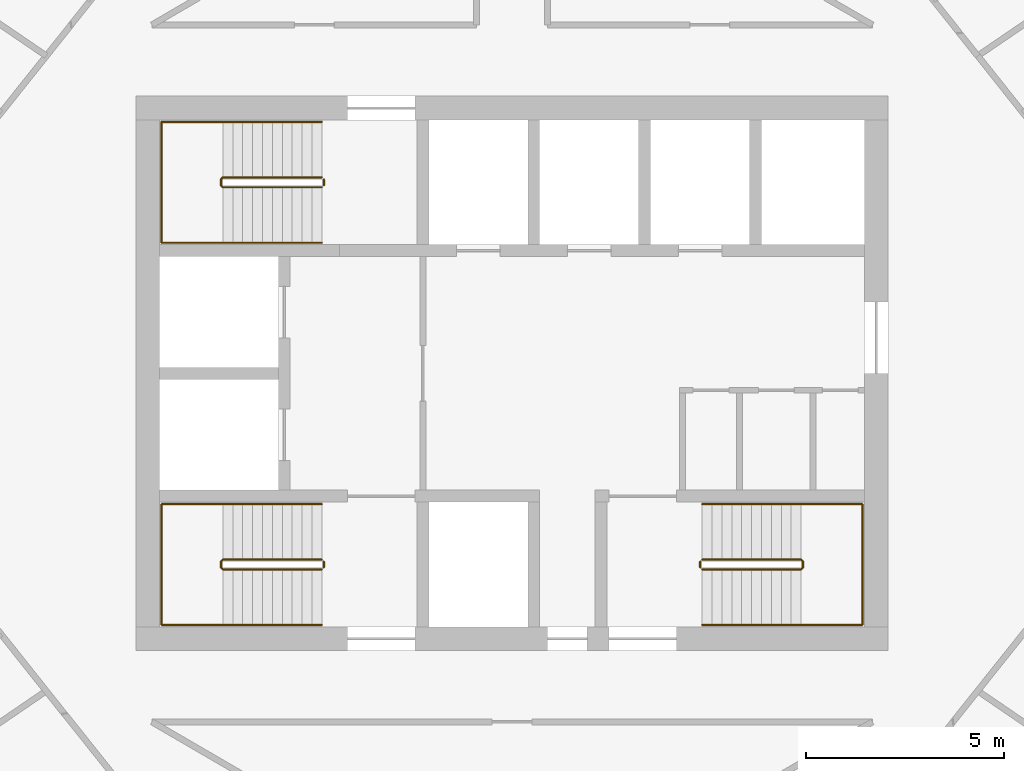
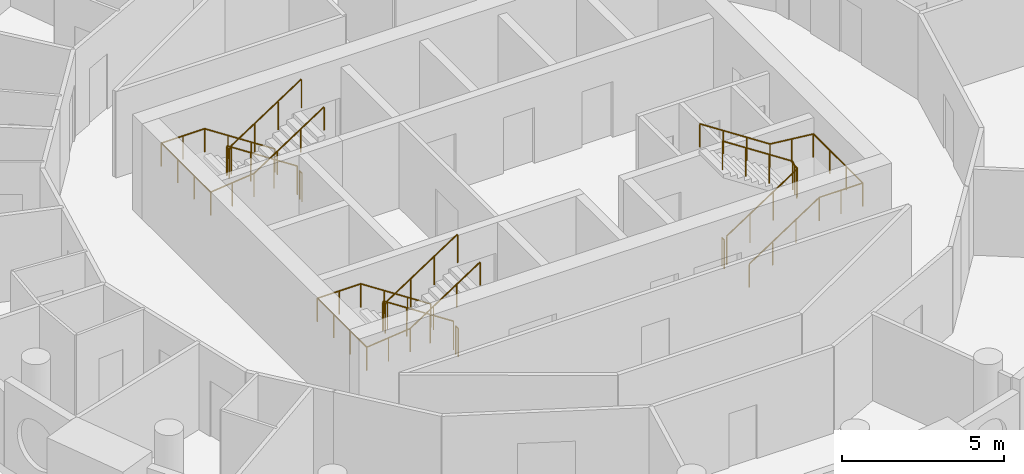
# One storey, part 12 of 12: 9 railings.
"""IFC4 building model written with IfcOpenShell, lengths in metres."""

from ifc_helpers import new_model, si_unit, direction, frame, origin, origin_2d, place, context, subcontext, project, spatial, circle, extrude, material, type_object, element, save


model = new_model("IFC4")

# Units and contexts
model_context = context("Model", 3, precision=1e-05, world=origin(), true_north=direction((0.0, 1.0)))
body_context = subcontext(model_context, "Body", "Model", "MODEL_VIEW")
ifc_project = project(units=[si_unit("LENGTHUNIT", "METRE"), si_unit("AREAUNIT", "SQUARE_METRE"), si_unit("VOLUMEUNIT", "CUBIC_METRE"), si_unit("PLANEANGLEUNIT", "RADIAN"), si_unit("MASSUNIT", "GRAM", prefix="KILO")], contexts=[model_context])

# Site, building, storey
site_placement = place(None, origin())
site = spatial("IfcSite", under=ifc_project, at=site_placement, CompositionType="ELEMENT")
building_placement = place(site_placement, origin())
building = spatial("IfcBuilding", under=site, at=building_placement, Name="Tracery Tower", CompositionType="ELEMENT")
storey_placement = place(building_placement, frame((0.0, 0.0, 305.39990234375)))
storey = spatial("IfcBuildingStorey", under=building, at=storey_placement, Name="L79", CompositionType="ELEMENT", Elevation=305.39990234375)

# Railings
ifc_material_1 = material(Name="Stainless steel and laminated glass", Category="steel")
railing_type_1 = type_object("IfcRailingType", Name="Stair guard 1100", PredefinedType="GUARDRAIL", material=ifc_material_1)
railing_1_placement = place(storey_placement, frame((-4.800048828125, -4.699951171875, 0.163818359375)))
element("IfcRailing", 1, at=railing_1_placement, inside=storey, type_object=railing_type_1, Name="L79 stair ST1 guard 1", PredefinedType="GUARDRAIL", context=body_context, shape_type="SweptSolid", body=[
    extrude(circle(Radius=0.02392578125, at=origin_2d()), frame((0.0, 0.0, 1.076171875), z_axis=(-0.836721939367, 0.0, 0.547627972425), x_axis=(0.0, -1.0, 0.0)), (0.0, 0.0, 1.0), 2.98779296875),
    extrude(circle(Radius=0.02392578125, at=origin_2d()), frame((-2.5, 0.0, 2.71240234375), z_axis=(-0.707106781187, -0.707106781187, 0.0), x_axis=(0.707106781187, -0.707106781187, 0.0)), (0.0, 0.0, 1.0), 0.07080078125),
    extrude(circle(Radius=0.02392578125, at=origin_2d()), frame((-2.550048828125, -0.050048828125, 2.71240234375), z_axis=(0.0, -1.0, 0.0), x_axis=(1.0, 0.0, 0.0)), (0.0, 0.0, 1.0), 0.14990234375),
    extrude(circle(Radius=0.02392578125, at=origin_2d()), frame((-2.550048828125, -0.199951171875, 2.71240234375), z_axis=(0.280808744504, -0.280808744504, 0.917765164963), x_axis=(0.707106781187, 0.707106781187, 0.0)), (0.0, 0.0, 1.0), 0.17822265625),
    extrude(circle(Radius=0.02392578125, at=origin_2d()), frame((-2.5, -0.25, 2.8759765625), z_axis=(0.83668449804, 0.0, 0.54768517484), x_axis=(0.0, 1.0, 0.0)), (0.0, 0.0, 1.0), 2.988037109375),
    extrude(circle(Radius=0.02099609375, at=origin_2d()), origin(), (0.0, 0.0, 1.0), 1.052001953125),
    extrude(circle(Radius=0.02099609375, at=origin_2d()), frame((-0.833251953125, 0.0, 0.54541015625)), (0.0, 0.0, 1.0), 1.052001953125),
    extrude(circle(Radius=0.02099609375, at=origin_2d()), frame((-1.666748046875, 0.0, 1.0908203125)), (0.0, 0.0, 1.0), 1.052001953125),
    extrude(circle(Radius=0.02099609375, at=origin_2d()), frame((-2.5, 0.0, 1.63623046875)), (0.0, 0.0, 1.0), 1.052001953125),
    extrude(circle(Radius=0.02099609375, at=origin_2d()), frame((-2.550048828125, -0.050048828125, 1.63623046875)), (0.0, 0.0, 1.0), 1.052001953125),
    extrude(circle(Radius=0.02099609375, at=origin_2d()), frame((-2.550048828125, -0.199951171875, 1.63623046875)), (0.0, 0.0, 1.0), 1.052001953125),
    extrude(circle(Radius=0.02099609375, at=origin_2d()), frame((-2.5, -0.25, 1.7998046875)), (0.0, 0.0, 1.0), 1.052001953125),
    extrude(circle(Radius=0.02099609375, at=origin_2d()), frame((-1.666748046875, -0.25, 2.34521484375)), (0.0, 0.0, 1.0), 1.052001953125),
    extrude(circle(Radius=0.02099609375, at=origin_2d()), frame((-0.833251953125, -0.25, 2.890869140625)), (0.0, 0.0, 1.0), 1.052001953125),
    extrude(circle(Radius=0.02099609375, at=origin_2d()), frame((0.0, -0.25, 3.436279296875)), (0.0, 0.0, 1.0), 1.052001953125),
])
railing_2_placement = place(storey_placement, frame((-4.75, -4.75, 0.0)))
element("IfcRailing", 2, at=railing_2_placement, inside=storey, type_object=railing_type_1, Name="L79 stair ST1 guard 2", PredefinedType="GUARDRAIL", context=body_context, shape_type="SweptSolid", body=[
    extrude(circle(Radius=0.02392578125, at=origin_2d()), frame((0.0, 0.0, 1.076171875), z_axis=(0.0, -1.0, 0.0), x_axis=(1.0, 0.0, 0.0)), (0.0, 0.0, 1.0), 0.14990234375),
    extrude(circle(Radius=0.02099609375, at=origin_2d()), origin(), (0.0, 0.0, 1.0), 1.052001953125),
    extrude(circle(Radius=0.02099609375, at=origin_2d()), frame((0.0, -0.14990234375, 0.0)), (0.0, 0.0, 1.0), 1.052001953125),
])
railing_3_placement = place(storey_placement, frame((-4.800048828125, 4.949951171875, 0.163818359375)))
element("IfcRailing", 3, at=railing_3_placement, inside=storey, type_object=railing_type_1, Name="L79 stair ST3 guard 1", PredefinedType="GUARDRAIL", context=body_context, shape_type="SweptSolid", body=[
    extrude(circle(Radius=0.02392578125, at=origin_2d()), frame((0.0, 0.0, 1.076171875), z_axis=(-0.836721939367, 0.0, 0.547627972425), x_axis=(0.0, -1.0, 0.0)), (0.0, 0.0, 1.0), 2.98779296875),
    extrude(circle(Radius=0.02392578125, at=origin_2d()), frame((-2.5, 0.0, 2.71240234375), z_axis=(-0.707106781187, -0.707106781187, 0.0), x_axis=(0.707106781187, -0.707106781187, 0.0)), (0.0, 0.0, 1.0), 0.07080078125),
    extrude(circle(Radius=0.02392578125, at=origin_2d()), frame((-2.550048828125, -0.050048828125, 2.71240234375), z_axis=(0.0, -1.0, 0.0), x_axis=(1.0, 0.0, 0.0)), (0.0, 0.0, 1.0), 0.14990234375),
    extrude(circle(Radius=0.02392578125, at=origin_2d()), frame((-2.550048828125, -0.199951171875, 2.71240234375), z_axis=(0.280808744504, -0.280808744504, 0.917765164963), x_axis=(0.707106781187, 0.707106781187, 0.0)), (0.0, 0.0, 1.0), 0.17822265625),
    extrude(circle(Radius=0.02392578125, at=origin_2d()), frame((-2.5, -0.25, 2.8759765625), z_axis=(0.83668449804, 0.0, 0.54768517484), x_axis=(0.0, 1.0, 0.0)), (0.0, 0.0, 1.0), 2.988037109375),
    extrude(circle(Radius=0.02099609375, at=origin_2d()), origin(), (0.0, 0.0, 1.0), 1.052001953125),
    extrude(circle(Radius=0.02099609375, at=origin_2d()), frame((-0.833251953125, 0.0, 0.54541015625)), (0.0, 0.0, 1.0), 1.052001953125),
    extrude(circle(Radius=0.02099609375, at=origin_2d()), frame((-1.666748046875, 0.0, 1.0908203125)), (0.0, 0.0, 1.0), 1.052001953125),
    extrude(circle(Radius=0.02099609375, at=origin_2d()), frame((-2.5, 0.0, 1.63623046875)), (0.0, 0.0, 1.0), 1.052001953125),
    extrude(circle(Radius=0.02099609375, at=origin_2d()), frame((-2.550048828125, -0.050048828125, 1.63623046875)), (0.0, 0.0, 1.0), 1.052001953125),
    extrude(circle(Radius=0.02099609375, at=origin_2d()), frame((-2.550048828125, -0.199951171875, 1.63623046875)), (0.0, 0.0, 1.0), 1.052001953125),
    extrude(circle(Radius=0.02099609375, at=origin_2d()), frame((-2.5, -0.25, 1.7998046875)), (0.0, 0.0, 1.0), 1.052001953125),
    extrude(circle(Radius=0.02099609375, at=origin_2d()), frame((-1.666748046875, -0.25, 2.34521484375)), (0.0, 0.0, 1.0), 1.052001953125),
    extrude(circle(Radius=0.02099609375, at=origin_2d()), frame((-0.833251953125, -0.25, 2.890869140625)), (0.0, 0.0, 1.0), 1.052001953125),
    extrude(circle(Radius=0.02099609375, at=origin_2d()), frame((0.0, -0.25, 3.436279296875)), (0.0, 0.0, 1.0), 1.052001953125),
])
railing_4_placement = place(storey_placement, frame((-4.75, 4.89990234375, 0.0)))
element("IfcRailing", 4, at=railing_4_placement, inside=storey, type_object=railing_type_1, Name="L79 stair ST3 guard 2", PredefinedType="GUARDRAIL", context=body_context, shape_type="SweptSolid", body=[
    extrude(circle(Radius=0.02392578125, at=origin_2d()), frame((0.0, 0.0, 1.076171875), z_axis=(0.0, -1.0, 0.0), x_axis=(1.0, 0.0, 0.0)), (0.0, 0.0, 1.0), 0.14990234375),
    extrude(circle(Radius=0.02099609375, at=origin_2d()), origin(), (0.0, 0.0, 1.0), 1.052001953125),
    extrude(circle(Radius=0.02099609375, at=origin_2d()), frame((0.0, -0.14990234375, 0.0)), (0.0, 0.0, 1.0), 1.052001953125),
])
railing_5_placement = place(storey_placement, frame((4.800048828125, -4.949951171875, 0.163818359375)))
element("IfcRailing", 5, at=railing_5_placement, inside=storey, type_object=railing_type_1, Name="L79 stair ST2 guard 1", PredefinedType="GUARDRAIL", context=body_context, shape_type="SweptSolid", body=[
    extrude(circle(Radius=0.02392578125, at=origin_2d()), frame((0.0, 0.0, 1.076171875), z_axis=(0.836721939367, 0.0, 0.547627972425), x_axis=(0.0, 1.0, 0.0)), (0.0, 0.0, 1.0), 2.98779296875),
    extrude(circle(Radius=0.02392578125, at=origin_2d()), frame((2.5, 0.0, 2.71240234375), z_axis=(0.707106781187, 0.707106781187, 0.0), x_axis=(-0.707106781187, 0.707106781187, 0.0)), (0.0, 0.0, 1.0), 0.07080078125),
    extrude(circle(Radius=0.02392578125, at=origin_2d()), frame((2.550048828125, 0.050048828125, 2.71240234375), z_axis=(0.0, 1.0, 0.0), x_axis=(-1.0, 0.0, 0.0)), (0.0, 0.0, 1.0), 0.14990234375),
    extrude(circle(Radius=0.02392578125, at=origin_2d()), frame((2.550048828125, 0.199951171875, 2.71240234375), z_axis=(-0.280808744504, 0.280808744504, 0.917765164963), x_axis=(-0.707106781187, -0.707106781187, 0.0)), (0.0, 0.0, 1.0), 0.17822265625),
    extrude(circle(Radius=0.02392578125, at=origin_2d()), frame((2.5, 0.25, 2.8759765625), z_axis=(-0.83668449804, 0.0, 0.54768517484), x_axis=(0.0, -1.0, 0.0)), (0.0, 0.0, 1.0), 2.988037109375),
    extrude(circle(Radius=0.02099609375, at=origin_2d()), origin(), (0.0, 0.0, 1.0), 1.052001953125),
    extrude(circle(Radius=0.02099609375, at=origin_2d()), frame((0.833251953125, 0.0, 0.54541015625)), (0.0, 0.0, 1.0), 1.052001953125),
    extrude(circle(Radius=0.02099609375, at=origin_2d()), frame((1.666748046875, 0.0, 1.0908203125)), (0.0, 0.0, 1.0), 1.052001953125),
    extrude(circle(Radius=0.02099609375, at=origin_2d()), frame((2.5, 0.0, 1.63623046875)), (0.0, 0.0, 1.0), 1.052001953125),
    extrude(circle(Radius=0.02099609375, at=origin_2d()), frame((2.550048828125, 0.050048828125, 1.63623046875)), (0.0, 0.0, 1.0), 1.052001953125),
    extrude(circle(Radius=0.02099609375, at=origin_2d()), frame((2.550048828125, 0.199951171875, 1.63623046875)), (0.0, 0.0, 1.0), 1.052001953125),
    extrude(circle(Radius=0.02099609375, at=origin_2d()), frame((2.5, 0.25, 1.7998046875)), (0.0, 0.0, 1.0), 1.052001953125),
    extrude(circle(Radius=0.02099609375, at=origin_2d()), frame((1.666748046875, 0.25, 2.34521484375)), (0.0, 0.0, 1.0), 1.052001953125),
    extrude(circle(Radius=0.02099609375, at=origin_2d()), frame((0.833251953125, 0.25, 2.890869140625)), (0.0, 0.0, 1.0), 1.052001953125),
    extrude(circle(Radius=0.02099609375, at=origin_2d()), frame((0.0, 0.25, 3.436279296875)), (0.0, 0.0, 1.0), 1.052001953125),
])
railing_6_placement = place(storey_placement, frame((4.75, -4.89990234375, 0.0)))
element("IfcRailing", 6, at=railing_6_placement, inside=storey, type_object=railing_type_1, Name="L79 stair ST2 guard 2", PredefinedType="GUARDRAIL", context=body_context, shape_type="SweptSolid", body=[
    extrude(circle(Radius=0.02392578125, at=origin_2d()), frame((0.0, 0.0, 1.076171875), z_axis=(0.0, 1.0, 0.0), x_axis=(-1.0, 0.0, 0.0)), (0.0, 0.0, 1.0), 0.14990234375),
    extrude(circle(Radius=0.02099609375, at=origin_2d()), origin(), (0.0, 0.0, 1.0), 1.052001953125),
    extrude(circle(Radius=0.02099609375, at=origin_2d()), frame((0.0, 0.14990234375, 0.0)), (0.0, 0.0, 1.0), 1.052001953125),
])
ifc_material_2 = material(Name="Stainless steel and laminated glass", Category="steel")
railing_type_2 = type_object("IfcRailingType", Name="Stair handrail 900", PredefinedType="HANDRAIL", material=ifc_material_2)
railing_7_placement = place(storey_placement, frame((-4.800048828125, -3.300048828125, 0.163818359375)))
element("IfcRailing", 7, at=railing_7_placement, inside=storey, type_object=railing_type_2, Name="L79 stair ST1 handrail 1", PredefinedType="HANDRAIL", context=body_context, shape_type="SweptSolid", body=[
    extrude(circle(Radius=0.02392578125, at=origin_2d()), frame((0.0, 0.0, 0.8759765625), z_axis=(-0.836721939367, 0.0, 0.547627972425), x_axis=(0.0, -1.0, 0.0)), (0.0, 0.0, 1.0), 2.98779296875),
    extrude(circle(Radius=0.02392578125, at=origin_2d()), frame((-2.5, 0.0, 2.51220703125), z_axis=(-1.0, 0.0, 0.0), x_axis=(0.0, -1.0, 0.0)), (0.0, 0.0, 1.0), 1.550048828125),
    extrude(circle(Radius=0.02392578125, at=origin_2d()), frame((-4.050048828125, 0.0, 2.51220703125), z_axis=(0.0, -1.0, 0.0), x_axis=(1.0, 0.0, 0.0)), (0.0, 0.0, 1.0), 3.050048828125),
    extrude(circle(Radius=0.02392578125, at=origin_2d()), frame((-4.050048828125, -3.050048828125, 2.51220703125), z_axis=(0.994477953863, 0.0, 0.104945696817), x_axis=(0.0, 1.0, 0.0)), (0.0, 0.0, 1.0), 1.55859375),
    extrude(circle(Radius=0.02392578125, at=origin_2d()), frame((-2.5, -3.050048828125, 2.67578125), z_axis=(0.83668449804, 0.0, 0.54768517484), x_axis=(0.0, 1.0, 0.0)), (0.0, 0.0, 1.0), 2.988037109375),
    extrude(circle(Radius=0.02099609375, at=origin_2d()), origin(), (0.0, 0.0, 1.0), 0.851806640625),
    extrude(circle(Radius=0.02099609375, at=origin_2d()), frame((-0.833251953125, 0.0, 0.54541015625)), (0.0, 0.0, 1.0), 0.851806640625),
    extrude(circle(Radius=0.02099609375, at=origin_2d()), frame((-1.666748046875, 0.0, 1.0908203125)), (0.0, 0.0, 1.0), 0.851806640625),
    extrude(circle(Radius=0.02099609375, at=origin_2d()), frame((-2.5, 0.0, 1.63623046875)), (0.0, 0.0, 1.0), 0.851806640625),
    extrude(circle(Radius=0.02099609375, at=origin_2d()), frame((-3.27490234375, 0.0, 1.63623046875)), (0.0, 0.0, 1.0), 0.851806640625),
    extrude(circle(Radius=0.02099609375, at=origin_2d()), frame((-4.050048828125, 0.0, 1.63623046875)), (0.0, 0.0, 1.0), 0.851806640625),
    extrude(circle(Radius=0.02099609375, at=origin_2d()), frame((-4.050048828125, -1.0166015625, 1.63623046875)), (0.0, 0.0, 1.0), 0.851806640625),
    extrude(circle(Radius=0.02099609375, at=origin_2d()), frame((-4.050048828125, -2.033447265625, 1.63623046875)), (0.0, 0.0, 1.0), 0.851806640625),
    extrude(circle(Radius=0.02099609375, at=origin_2d()), frame((-4.050048828125, -3.050048828125, 1.63623046875)), (0.0, 0.0, 1.0), 0.851806640625),
    extrude(circle(Radius=0.02099609375, at=origin_2d()), frame((-3.27490234375, -3.050048828125, 1.718017578125)), (0.0, 0.0, 1.0), 0.851806640625),
    extrude(circle(Radius=0.02099609375, at=origin_2d()), frame((-2.5, -3.050048828125, 1.7998046875)), (0.0, 0.0, 1.0), 0.851806640625),
    extrude(circle(Radius=0.02099609375, at=origin_2d()), frame((-1.666748046875, -3.050048828125, 2.34521484375)), (0.0, 0.0, 1.0), 0.851806640625),
    extrude(circle(Radius=0.02099609375, at=origin_2d()), frame((-0.833251953125, -3.050048828125, 2.890869140625)), (0.0, 0.0, 1.0), 0.851806640625),
    extrude(circle(Radius=0.02099609375, at=origin_2d()), frame((0.0, -3.050048828125, 3.436279296875)), (0.0, 0.0, 1.0), 0.851806640625),
])
railing_8_placement = place(storey_placement, frame((-4.800048828125, 6.35009765625, 0.163818359375)))
element("IfcRailing", 8, at=railing_8_placement, inside=storey, type_object=railing_type_2, Name="L79 stair ST3 handrail 1", PredefinedType="HANDRAIL", context=body_context, shape_type="SweptSolid", body=[
    extrude(circle(Radius=0.02392578125, at=origin_2d()), frame((0.0, 0.0, 0.8759765625), z_axis=(-0.836721939367, 0.0, 0.547627972425), x_axis=(0.0, -1.0, 0.0)), (0.0, 0.0, 1.0), 2.98779296875),
    extrude(circle(Radius=0.02392578125, at=origin_2d()), frame((-2.5, 0.0, 2.51220703125), z_axis=(-1.0, 0.0, 0.0), x_axis=(0.0, -1.0, 0.0)), (0.0, 0.0, 1.0), 1.550048828125),
    extrude(circle(Radius=0.02392578125, at=origin_2d()), frame((-4.050048828125, 0.0, 2.51220703125), z_axis=(0.0, -1.0, 0.0), x_axis=(1.0, 0.0, 0.0)), (0.0, 0.0, 1.0), 3.050048828125),
    extrude(circle(Radius=0.02392578125, at=origin_2d()), frame((-4.050048828125, -3.050048828125, 2.51220703125), z_axis=(0.994477953863, 0.0, 0.104945696817), x_axis=(0.0, 1.0, 0.0)), (0.0, 0.0, 1.0), 1.55859375),
    extrude(circle(Radius=0.02392578125, at=origin_2d()), frame((-2.5, -3.050048828125, 2.67578125), z_axis=(0.83668449804, 0.0, 0.54768517484), x_axis=(0.0, 1.0, 0.0)), (0.0, 0.0, 1.0), 2.988037109375),
    extrude(circle(Radius=0.02099609375, at=origin_2d()), origin(), (0.0, 0.0, 1.0), 0.851806640625),
    extrude(circle(Radius=0.02099609375, at=origin_2d()), frame((-0.833251953125, 0.0, 0.54541015625)), (0.0, 0.0, 1.0), 0.851806640625),
    extrude(circle(Radius=0.02099609375, at=origin_2d()), frame((-1.666748046875, 0.0, 1.0908203125)), (0.0, 0.0, 1.0), 0.851806640625),
    extrude(circle(Radius=0.02099609375, at=origin_2d()), frame((-2.5, 0.0, 1.63623046875)), (0.0, 0.0, 1.0), 0.851806640625),
    extrude(circle(Radius=0.02099609375, at=origin_2d()), frame((-3.27490234375, 0.0, 1.63623046875)), (0.0, 0.0, 1.0), 0.851806640625),
    extrude(circle(Radius=0.02099609375, at=origin_2d()), frame((-4.050048828125, 0.0, 1.63623046875)), (0.0, 0.0, 1.0), 0.851806640625),
    extrude(circle(Radius=0.02099609375, at=origin_2d()), frame((-4.050048828125, -1.0166015625, 1.63623046875)), (0.0, 0.0, 1.0), 0.851806640625),
    extrude(circle(Radius=0.02099609375, at=origin_2d()), frame((-4.050048828125, -2.033447265625, 1.63623046875)), (0.0, 0.0, 1.0), 0.851806640625),
    extrude(circle(Radius=0.02099609375, at=origin_2d()), frame((-4.050048828125, -3.050048828125, 1.63623046875)), (0.0, 0.0, 1.0), 0.851806640625),
    extrude(circle(Radius=0.02099609375, at=origin_2d()), frame((-3.27490234375, -3.050048828125, 1.718017578125)), (0.0, 0.0, 1.0), 0.851806640625),
    extrude(circle(Radius=0.02099609375, at=origin_2d()), frame((-2.5, -3.050048828125, 1.7998046875)), (0.0, 0.0, 1.0), 0.851806640625),
    extrude(circle(Radius=0.02099609375, at=origin_2d()), frame((-1.666748046875, -3.050048828125, 2.34521484375)), (0.0, 0.0, 1.0), 0.851806640625),
    extrude(circle(Radius=0.02099609375, at=origin_2d()), frame((-0.833251953125, -3.050048828125, 2.890869140625)), (0.0, 0.0, 1.0), 0.851806640625),
    extrude(circle(Radius=0.02099609375, at=origin_2d()), frame((0.0, -3.050048828125, 3.436279296875)), (0.0, 0.0, 1.0), 0.851806640625),
])
railing_9_placement = place(storey_placement, frame((4.800048828125, -6.35009765625, 0.163818359375)))
element("IfcRailing", 9, at=railing_9_placement, inside=storey, type_object=railing_type_2, Name="L79 stair ST2 handrail 1", PredefinedType="HANDRAIL", context=body_context, shape_type="SweptSolid", body=[
    extrude(circle(Radius=0.02392578125, at=origin_2d()), frame((0.0, 0.0, 0.8759765625), z_axis=(0.836721939367, 0.0, 0.547627972425), x_axis=(0.0, 1.0, 0.0)), (0.0, 0.0, 1.0), 2.98779296875),
    extrude(circle(Radius=0.02392578125, at=origin_2d()), frame((2.5, 0.0, 2.51220703125), z_axis=(1.0, 0.0, 0.0), x_axis=(0.0, 1.0, 0.0)), (0.0, 0.0, 1.0), 1.550048828125),
    extrude(circle(Radius=0.02392578125, at=origin_2d()), frame((4.050048828125, 0.0, 2.51220703125), z_axis=(0.0, 1.0, 0.0), x_axis=(-1.0, 0.0, 0.0)), (0.0, 0.0, 1.0), 3.050048828125),
    extrude(circle(Radius=0.02392578125, at=origin_2d()), frame((4.050048828125, 3.050048828125, 2.51220703125), z_axis=(-0.994477953863, 0.0, 0.104945696817), x_axis=(0.0, -1.0, 0.0)), (0.0, 0.0, 1.0), 1.55859375),
    extrude(circle(Radius=0.02392578125, at=origin_2d()), frame((2.5, 3.050048828125, 2.67578125), z_axis=(-0.83668449804, 0.0, 0.54768517484), x_axis=(0.0, -1.0, 0.0)), (0.0, 0.0, 1.0), 2.988037109375),
    extrude(circle(Radius=0.02099609375, at=origin_2d()), origin(), (0.0, 0.0, 1.0), 0.851806640625),
    extrude(circle(Radius=0.02099609375, at=origin_2d()), frame((0.833251953125, 0.0, 0.54541015625)), (0.0, 0.0, 1.0), 0.851806640625),
    extrude(circle(Radius=0.02099609375, at=origin_2d()), frame((1.666748046875, 0.0, 1.0908203125)), (0.0, 0.0, 1.0), 0.851806640625),
    extrude(circle(Radius=0.02099609375, at=origin_2d()), frame((2.5, 0.0, 1.63623046875)), (0.0, 0.0, 1.0), 0.851806640625),
    extrude(circle(Radius=0.02099609375, at=origin_2d()), frame((3.27490234375, 0.0, 1.63623046875)), (0.0, 0.0, 1.0), 0.851806640625),
    extrude(circle(Radius=0.02099609375, at=origin_2d()), frame((4.050048828125, 0.0, 1.63623046875)), (0.0, 0.0, 1.0), 0.851806640625),
    extrude(circle(Radius=0.02099609375, at=origin_2d()), frame((4.050048828125, 1.0166015625, 1.63623046875)), (0.0, 0.0, 1.0), 0.851806640625),
    extrude(circle(Radius=0.02099609375, at=origin_2d()), frame((4.050048828125, 2.033447265625, 1.63623046875)), (0.0, 0.0, 1.0), 0.851806640625),
    extrude(circle(Radius=0.02099609375, at=origin_2d()), frame((4.050048828125, 3.050048828125, 1.63623046875)), (0.0, 0.0, 1.0), 0.851806640625),
    extrude(circle(Radius=0.02099609375, at=origin_2d()), frame((3.27490234375, 3.050048828125, 1.718017578125)), (0.0, 0.0, 1.0), 0.851806640625),
    extrude(circle(Radius=0.02099609375, at=origin_2d()), frame((2.5, 3.050048828125, 1.7998046875)), (0.0, 0.0, 1.0), 0.851806640625),
    extrude(circle(Radius=0.02099609375, at=origin_2d()), frame((1.666748046875, 3.050048828125, 2.34521484375)), (0.0, 0.0, 1.0), 0.851806640625),
    extrude(circle(Radius=0.02099609375, at=origin_2d()), frame((0.833251953125, 3.050048828125, 2.890869140625)), (0.0, 0.0, 1.0), 0.851806640625),
    extrude(circle(Radius=0.02099609375, at=origin_2d()), frame((0.0, 3.050048828125, 3.436279296875)), (0.0, 0.0, 1.0), 0.851806640625),
])

save(model, "model.ifc")
